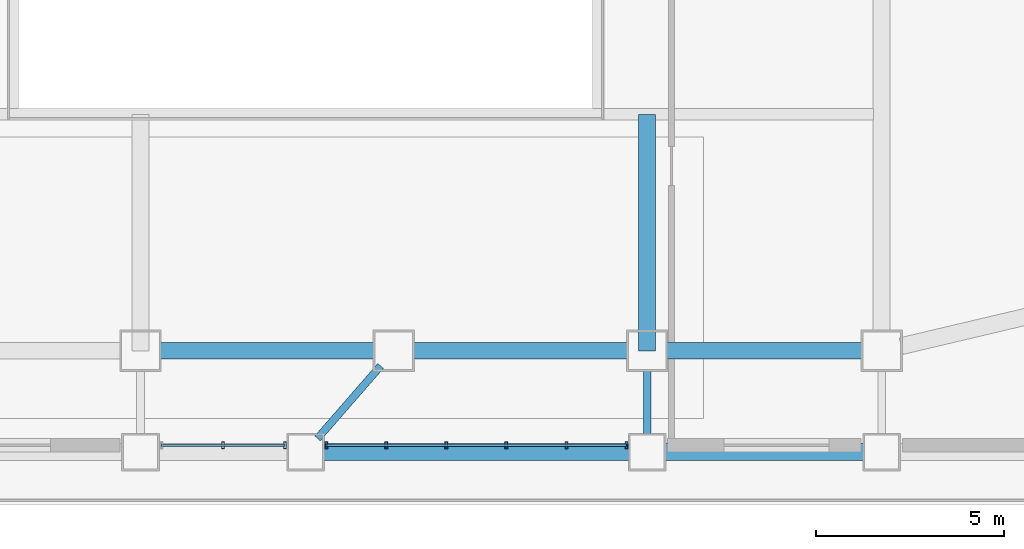
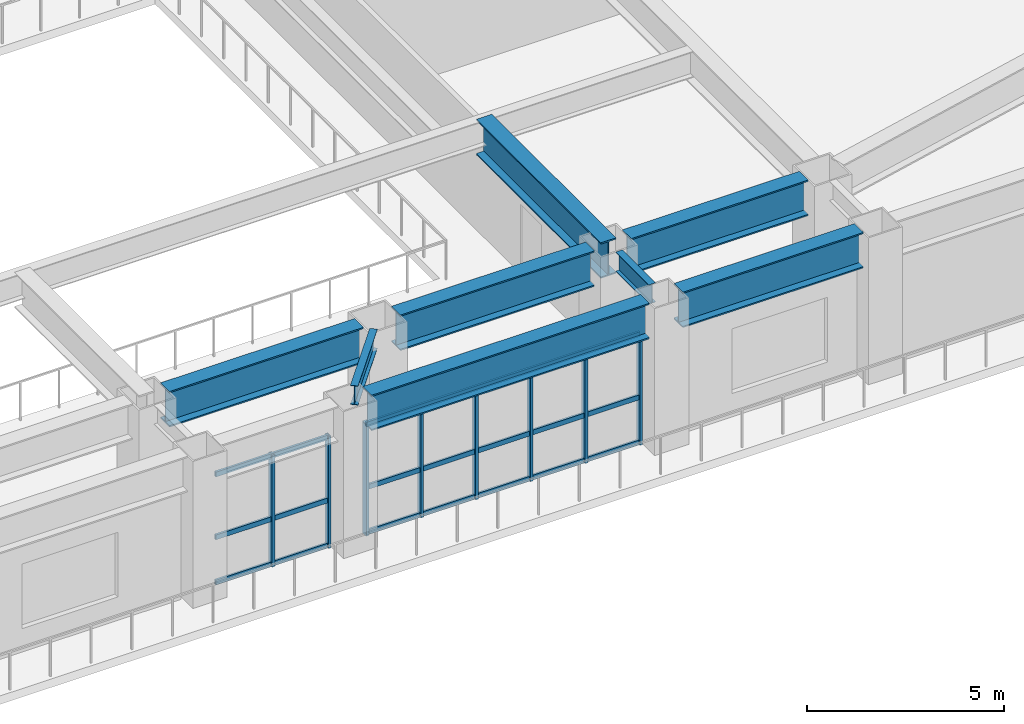
# One storey, part 4 of 14: 14 members, 8 beams, 2 elements without a shape of their own.
"""IFC4 building model written with IfcOpenShell, lengths in metres."""

from ifc_helpers import new_model, si_unit, direction, frame, origin, origin_2d, place, context, subcontext, project, spatial, hollow_rectangle, i_section, extrude, source, transform, mapped, material, layer, layer_set, material_profile, profile_set, type_object, element, aggregate, save


model = new_model("IFC4")

# Units and contexts
model_context = context("Model", 3, precision=1e-05, world=origin(), true_north=direction((0.0, 1.0)))
body_context = subcontext(model_context, "Body", "Model", "MODEL_VIEW")
ifc_project = project(units=[si_unit("LENGTHUNIT", "METRE"), si_unit("AREAUNIT", "SQUARE_METRE"), si_unit("VOLUMEUNIT", "CUBIC_METRE"), si_unit("PLANEANGLEUNIT", "RADIAN"), si_unit("MASSUNIT", "GRAM", prefix="KILO")], contexts=[model_context])

# Site, building, storey
site_placement = place(None, origin())
site = spatial("IfcSite", under=ifc_project, at=site_placement, CompositionType="ELEMENT")
building_placement = place(site_placement, origin())
building = spatial("IfcBuilding", under=site, at=building_placement, Name="Giltprow Tower", CompositionType="ELEMENT")
storey_placement = place(building_placement, frame((0.0, 0.0, 5.60009765625)))
storey = spatial("IfcBuildingStorey", under=building, at=storey_placement, Name="L02", CompositionType="ELEMENT", Elevation=5.60009765625)

# Beams
ifc_material_1 = material(Name="Structural steel Q420GJC", Category="steel")
ifc_material_profile_1 = material_profile(ifc_material_1, i_section(OverallWidth=0.449951171875, OverallDepth=1.10009765625, WebThickness=0.02587890625, FlangeThickness=0.0419921875, at=origin_2d()), Name="WH 1100x450x26x42")
ifc_profile_set_1 = profile_set([ifc_material_profile_1], Name="Structural steel Q420GJC")
beam_type_1 = type_object("IfcBeamType", Name="BM-GIRD-WH1100", PredefinedType="BEAM", material=ifc_profile_set_1)
shared_shape_1 = source(origin(), body_context, "Body", "SweptSolid", [
    extrude(i_section(OverallWidth=0.449951171875, OverallDepth=1.10009765625, WebThickness=0.02587890625, FlangeThickness=0.0419921875, at=origin_2d()), origin(), (0.0, 0.0, 1.0), 5.679931640625),
])
for number, where, z_axis, x_axis, name in (
    (1, (31.3349609375, 3.300048828125, 3.989990234375), (1.0, 0.0, 0.0), (0.0, 1.0, 0.0), "L02 Tower Base Ring Girder 3"),
    (2, (38.0849609375, 3.300048828125, 3.989990234375), (1.0, 0.0, 0.0), (0.0, 1.0, 0.0), "L02 Tower Base Ring Girder 4"),
):
    element("IfcBeam", number, at=place(storey_placement, frame(where, z_axis=z_axis, x_axis=x_axis)), inside=storey, type_object=beam_type_1, Name=name, PredefinedType="BEAM", context=body_context, shape_type="MappedRepresentation", body=[
        mapped(shared_shape_1, transform((0.0, 0.0, 0.0), x_axis=(1.0, 0.0, 0.0), y_axis=(0.0, 1.0, 0.0), z_axis=(0.0, 0.0, 1.0), scale=1.0)),
    ])
shared_shape_2 = source(origin(), body_context, "Body", "SweptSolid", [
    extrude(i_section(OverallWidth=0.449951171875, OverallDepth=1.10009765625, WebThickness=0.02587890625, FlangeThickness=0.0419921875, at=origin_2d()), origin(), (0.0, 0.0, 1.0), 5.179931640625),
])
beam_1_placement = place(storey_placement, frame((44.8349609375, 3.300048828125, 3.989990234375), z_axis=(1.0, 0.0, 0.0), x_axis=(0.0, 1.0, 0.0)))
element("IfcBeam", 3, at=beam_1_placement, inside=storey, type_object=beam_type_1, Name="L02 Tower Base Ring Girder 5", PredefinedType="BEAM", context=body_context, shape_type="MappedRepresentation", body=[
    mapped(shared_shape_2, transform((0.0, 0.0, 0.0), x_axis=(1.0, 0.0, 0.0), y_axis=(0.0, 1.0, 0.0), z_axis=(0.0, 0.0, 1.0), scale=1.0)),
])
shared_shape_3 = source(origin(), body_context, "Body", "SweptSolid", [
    extrude(i_section(OverallWidth=0.449951171875, OverallDepth=1.10009765625, WebThickness=0.02587890625, FlangeThickness=0.0419921875, at=origin_2d()), origin(), (0.0, 0.0, 1.0), 8.1298828125),
])
beam_2_placement = place(storey_placement, frame((35.68505859375, 0.60009765625, 3.989990234375), z_axis=(1.0, 0.0, 0.0), x_axis=(0.0, 1.0, 0.0)))
element("IfcBeam", 4, at=beam_2_placement, inside=storey, type_object=beam_type_1, Name="L02 Podium South Edge Girder", PredefinedType="BEAM", context=body_context, shape_type="MappedRepresentation", body=[
    mapped(shared_shape_3, transform((0.0, 0.0, 0.0), x_axis=(1.0, 0.0, 0.0), y_axis=(0.0, 1.0, 0.0), z_axis=(0.0, 0.0, 1.0), scale=1.0)),
])
shared_shape_4 = source(origin(), body_context, "Body", "SweptSolid", [
    extrude(i_section(OverallWidth=0.449951171875, OverallDepth=1.10009765625, WebThickness=0.02587890625, FlangeThickness=0.0419921875, at=origin_2d()), origin(), (0.0, 0.0, 1.0), 5.280029296875),
])
beam_3_placement = place(storey_placement, frame((44.784912109375, 0.60009765625, 3.989990234375), z_axis=(1.0, 0.0, 0.0), x_axis=(0.0, 1.0, 0.0)))
element("IfcBeam", 5, at=beam_3_placement, inside=storey, type_object=beam_type_1, Name="L02 Podium South Edge Girder", PredefinedType="BEAM", context=body_context, shape_type="MappedRepresentation", body=[
    mapped(shared_shape_4, transform((0.0, 0.0, 0.0), x_axis=(1.0, 0.0, 0.0), y_axis=(0.0, 1.0, 0.0), z_axis=(0.0, 0.0, 1.0), scale=1.0)),
])
ifc_material_2 = material(Name="Structural steel Q355B", Category="steel")
ifc_material_profile_2 = material_profile(ifc_material_2, i_section(OverallWidth=0.199951171875, OverallDepth=0.60009765625, WebThickness=0.010986328125, FlangeThickness=0.01708984375, at=origin_2d()), Name="HN 600x200x11x17")
ifc_profile_set_2 = profile_set([ifc_material_profile_2], Name="Structural steel Q355B")
beam_type_2 = type_object("IfcBeamType", Name="BM-GIRD-HN600", PredefinedType="BEAM", material=ifc_profile_set_2)
shared_shape_5 = source(origin(), body_context, "Body", "SweptSolid", [
    extrude(i_section(OverallWidth=0.199951171875, OverallDepth=0.60009765625, WebThickness=0.010986328125, FlangeThickness=0.01708984375, at=origin_2d()), origin(), (0.0, 0.0, 1.0), 1.679931640625),
])
beam_4_placement = place(storey_placement, frame((44.300048828125, 1.0849609375, 4.239990234375), z_axis=(0.0, 1.0, 0.0), x_axis=(-1.0, 0.0, 0.0)))
element("IfcBeam", 6, at=beam_4_placement, inside=storey, type_object=beam_type_2, Name="L02 South Perimeter Tie S3", PredefinedType="BEAM", context=body_context, shape_type="MappedRepresentation", body=[
    mapped(shared_shape_5, transform((0.0, 0.0, 0.0), x_axis=(1.0, 0.0, 0.0), y_axis=(0.0, 1.0, 0.0), z_axis=(0.0, 0.0, 1.0), scale=1.0)),
])
shared_shape_6 = source(origin(), body_context, "Body", "SweptSolid", [
    extrude(i_section(OverallWidth=0.449951171875, OverallDepth=1.10009765625, WebThickness=0.02587890625, FlangeThickness=0.0419921875, at=origin_2d()), origin(), (0.0, 0.0, 1.0), 6.300048828125),
])
beam_5_placement = place(storey_placement, frame((44.300048828125, 3.300048828125, 3.989990234375), z_axis=(0.0, 1.0, 0.0), x_axis=(-1.0, 0.0, 0.0)))
element("IfcBeam", 7, at=beam_5_placement, inside=storey, type_object=beam_type_1, Name="L02 Atrium South Girder S3", PredefinedType="BEAM", context=body_context, shape_type="MappedRepresentation", body=[
    mapped(shared_shape_6, transform((0.0, 0.0, 0.0), x_axis=(1.0, 0.0, 0.0), y_axis=(0.0, 1.0, 0.0), z_axis=(0.0, 0.0, 1.0), scale=1.0)),
])
shared_shape_7 = source(origin(), body_context, "Body", "SweptSolid", [
    extrude(i_section(OverallWidth=0.199951171875, OverallDepth=0.60009765625, WebThickness=0.010986328125, FlangeThickness=0.01708984375, at=origin_2d()), origin(), (0.0, 0.0, 1.0), 2.559326171875),
])
beam_6_placement = place(storey_placement, frame((35.51806640625, 0.966064453125, 4.239990234375), z_axis=(0.656780744804, 0.754081595886, 0.0), x_axis=(-0.754081595886, 0.656780744804, 0.0)))
element("IfcBeam", 8, at=beam_6_placement, inside=storey, type_object=beam_type_2, Name="L02 South Mid Tie", PredefinedType="BEAM", context=body_context, shape_type="MappedRepresentation", body=[
    mapped(shared_shape_7, transform((0.0, 0.0, 0.0), x_axis=(1.0, 0.0, 0.0), y_axis=(0.0, 1.0, 0.0), z_axis=(0.0, 0.0, 1.0), scale=1.0)),
])

# Curtain wall, members
ifc_material_3 = material(Name="Anodized bronze", Category="metal")
ifc_layer = layer(ifc_material_3, 0.179931640625, Name="Anodized bronze")
ifc_layer_set = layer_set([ifc_layer], Name="Anodized bronze")
curtain_wall_type = type_object("IfcCurtainWallType", Name="CW-POD-STOREFRONT", PredefinedType="NOTDEFINED", material=ifc_layer_set)
curtain_wall_1_placement = place(storey_placement, origin())
curtain_wall_1 = element("IfcCurtainWall", 9, at=curtain_wall_1_placement, inside=storey, type_object=curtain_wall_type, Name="L02 South Waterfront Storefront 3", PredefinedType="NOTDEFINED")
ifc_material_profile_3 = material_profile(ifc_material_3, hollow_rectangle(XDim=0.06494140625, YDim=0.14990234375, WallThickness=0.006103515625, at=origin_2d()), Name="RHS 150x65x6")
ifc_profile_set_3 = profile_set([ifc_material_profile_3], Name="Anodized bronze")
member_type_1 = type_object("IfcMemberType", Name="CW-TRANSOM-150x65", PredefinedType="USERDEFINED", material=ifc_profile_set_3)
shared_shape_8 = source(origin(), body_context, "Body", "SweptSolid", [
    extrude(hollow_rectangle(XDim=0.06494140625, YDim=0.14990234375, WallThickness=0.006103515625, at=origin_2d()), origin(), (0.0, 0.0, 1.0), 3.2998046875),
])
member_1_placement = place(storey_placement, frame((31.35009765625, 0.780029296875, 0.039794921875), z_axis=(1.0, 0.0, 0.0), x_axis=(0.0, 1.0, 0.0)))
member_1 = element("IfcMember", 10, at=member_1_placement, type_object=member_type_1, Name="L02 South Waterfront Storefront 3 Transom 1", ObjectType="TRANSOM", PredefinedType="USERDEFINED", context=body_context, shape_type="MappedRepresentation", body=[
    mapped(shared_shape_8, transform((0.0, 0.0, 0.0), x_axis=(1.0, 0.0, 0.0), y_axis=(0.0, 1.0, 0.0), z_axis=(0.0, 0.0, 1.0), scale=1.0)),
])
member_2_placement = place(storey_placement, frame((31.35009765625, 0.780029296875, 1.435791015625), z_axis=(1.0, 0.0, 0.0), x_axis=(0.0, 1.0, 0.0)))
member_2 = element("IfcMember", 11, at=member_2_placement, type_object=member_type_1, Name="L02 South Waterfront Storefront 3 Transom 2", ObjectType="TRANSOM", PredefinedType="USERDEFINED", context=body_context, shape_type="MappedRepresentation", body=[
    mapped(shared_shape_8, transform((0.0, 0.0, 0.0), x_axis=(1.0, 0.0, 0.0), y_axis=(0.0, 1.0, 0.0), z_axis=(0.0, 0.0, 1.0), scale=1.0)),
])
member_3_placement = place(storey_placement, frame((31.35009765625, 0.780029296875, 3.3798828125), z_axis=(1.0, 0.0, 0.0), x_axis=(0.0, 1.0, 0.0)))
member_3 = element("IfcMember", 12, at=member_3_placement, type_object=member_type_1, Name="L02 South Waterfront Storefront 3 Transom 3", ObjectType="TRANSOM", PredefinedType="USERDEFINED", context=body_context, shape_type="MappedRepresentation", body=[
    mapped(shared_shape_8, transform((0.0, 0.0, 0.0), x_axis=(1.0, 0.0, 0.0), y_axis=(0.0, 1.0, 0.0), z_axis=(0.0, 0.0, 1.0), scale=1.0)),
])

curtain_wall_2_placement = place(storey_placement, origin())
curtain_wall_2 = element("IfcCurtainWall", 13, at=curtain_wall_2_placement, inside=storey, type_object=curtain_wall_type, Name="L02 South Waterfront Storefront 4", PredefinedType="NOTDEFINED")
shared_shape_9 = source(origin(), body_context, "Body", "SweptSolid", [
    extrude(hollow_rectangle(XDim=0.06494140625, YDim=0.14990234375, WallThickness=0.006103515625, at=origin_2d()), origin(), (0.0, 0.0, 1.0), 8.0),
])
member_4_placement = place(storey_placement, frame((35.75, 0.780029296875, 0.039794921875), z_axis=(1.0, 0.0, 0.0), x_axis=(0.0, 1.0, 0.0)))
member_4 = element("IfcMember", 14, at=member_4_placement, type_object=member_type_1, Name="L02 South Waterfront Storefront 4 Transom 1", ObjectType="TRANSOM", PredefinedType="USERDEFINED", context=body_context, shape_type="MappedRepresentation", body=[
    mapped(shared_shape_9, transform((0.0, 0.0, 0.0), x_axis=(1.0, 0.0, 0.0), y_axis=(0.0, 1.0, 0.0), z_axis=(0.0, 0.0, 1.0), scale=1.0)),
])
member_5_placement = place(storey_placement, frame((35.75, 0.780029296875, 1.435791015625), z_axis=(1.0, 0.0, 0.0), x_axis=(0.0, 1.0, 0.0)))
member_5 = element("IfcMember", 15, at=member_5_placement, type_object=member_type_1, Name="L02 South Waterfront Storefront 4 Transom 2", ObjectType="TRANSOM", PredefinedType="USERDEFINED", context=body_context, shape_type="MappedRepresentation", body=[
    mapped(shared_shape_9, transform((0.0, 0.0, 0.0), x_axis=(1.0, 0.0, 0.0), y_axis=(0.0, 1.0, 0.0), z_axis=(0.0, 0.0, 1.0), scale=1.0)),
])
member_6_placement = place(storey_placement, frame((35.75, 0.780029296875, 3.3798828125), z_axis=(1.0, 0.0, 0.0), x_axis=(0.0, 1.0, 0.0)))
member_6 = element("IfcMember", 16, at=member_6_placement, type_object=member_type_1, Name="L02 South Waterfront Storefront 4 Transom 3", ObjectType="TRANSOM", PredefinedType="USERDEFINED", context=body_context, shape_type="MappedRepresentation", body=[
    mapped(shared_shape_9, transform((0.0, 0.0, 0.0), x_axis=(1.0, 0.0, 0.0), y_axis=(0.0, 1.0, 0.0), z_axis=(0.0, 0.0, 1.0), scale=1.0)),
])

# Member
ifc_material_profile_4 = material_profile(ifc_material_3, hollow_rectangle(XDim=0.074951171875, YDim=0.179931640625, WallThickness=0.008056640625, at=origin_2d()), Name="RHS 180x75x8")
ifc_profile_set_4 = profile_set([ifc_material_profile_4], Name="Anodized bronze")
member_type_2 = type_object("IfcMemberType", Name="CW-MULLION-180x75", PredefinedType="MULLION", material=ifc_profile_set_4)
shared_shape_10 = source(origin(), body_context, "Body", "SweptSolid", [
    extrude(hollow_rectangle(XDim=0.074951171875, YDim=0.179931640625, WallThickness=0.008056640625, at=origin_2d()), origin(), (0.0, 0.0, 1.0), 3.4599609375),
])
member_7_placement = place(storey_placement, frame((33.0, 0.780029296875, -0.02001953125), z_axis=(0.0, 0.0, 1.0), x_axis=(1.0, 0.0, 0.0)))
member_7 = element("IfcMember", 17, at=member_7_placement, type_object=member_type_2, Name="L02 South Waterfront Storefront 3 Mullion 2", PredefinedType="MULLION", context=body_context, shape_type="MappedRepresentation", body=[
    mapped(shared_shape_10, transform((0.0, 0.0, 0.0), x_axis=(1.0, 0.0, 0.0), y_axis=(0.0, 1.0, 0.0), z_axis=(0.0, 0.0, 1.0), scale=1.0)),
])

member_8_placement = place(storey_placement, frame((34.64990234375, 0.780029296875, -0.02001953125), z_axis=(0.0, 0.0, 1.0), x_axis=(1.0, 0.0, 0.0)))
member_8 = element("IfcMember", 18, at=member_8_placement, type_object=member_type_2, Name="L02 South Waterfront Storefront 3 Mullion 3", PredefinedType="MULLION", context=body_context, shape_type="MappedRepresentation", body=[
    mapped(shared_shape_10, transform((0.0, 0.0, 0.0), x_axis=(1.0, 0.0, 0.0), y_axis=(0.0, 1.0, 0.0), z_axis=(0.0, 0.0, 1.0), scale=1.0)),
])

aggregate(curtain_wall_1, [member_7, member_8, member_1, member_2, member_3])

member_9_placement = place(storey_placement, frame((35.75, 0.780029296875, -0.02001953125), z_axis=(0.0, 0.0, 1.0), x_axis=(1.0, 0.0, 0.0)))
member_9 = element("IfcMember", 19, at=member_9_placement, type_object=member_type_2, Name="L02 South Waterfront Storefront 4 Mullion 1", PredefinedType="MULLION", context=body_context, shape_type="MappedRepresentation", body=[
    mapped(shared_shape_10, transform((0.0, 0.0, 0.0), x_axis=(1.0, 0.0, 0.0), y_axis=(0.0, 1.0, 0.0), z_axis=(0.0, 0.0, 1.0), scale=1.0)),
])

member_10_placement = place(storey_placement, frame((37.35009765625, 0.780029296875, -0.02001953125), z_axis=(0.0, 0.0, 1.0), x_axis=(1.0, 0.0, 0.0)))
member_10 = element("IfcMember", 20, at=member_10_placement, type_object=member_type_2, Name="L02 South Waterfront Storefront 4 Mullion 2", PredefinedType="MULLION", context=body_context, shape_type="MappedRepresentation", body=[
    mapped(shared_shape_10, transform((0.0, 0.0, 0.0), x_axis=(1.0, 0.0, 0.0), y_axis=(0.0, 1.0, 0.0), z_axis=(0.0, 0.0, 1.0), scale=1.0)),
])

member_11_placement = place(storey_placement, frame((38.949951171875, 0.780029296875, -0.02001953125), z_axis=(0.0, 0.0, 1.0), x_axis=(1.0, 0.0, 0.0)))
member_11 = element("IfcMember", 21, at=member_11_placement, type_object=member_type_2, Name="L02 South Waterfront Storefront 4 Mullion 3", PredefinedType="MULLION", context=body_context, shape_type="MappedRepresentation", body=[
    mapped(shared_shape_10, transform((0.0, 0.0, 0.0), x_axis=(1.0, 0.0, 0.0), y_axis=(0.0, 1.0, 0.0), z_axis=(0.0, 0.0, 1.0), scale=1.0)),
])

member_12_placement = place(storey_placement, frame((40.550048828125, 0.780029296875, -0.02001953125), z_axis=(0.0, 0.0, 1.0), x_axis=(1.0, 0.0, 0.0)))
member_12 = element("IfcMember", 22, at=member_12_placement, type_object=member_type_2, Name="L02 South Waterfront Storefront 4 Mullion 4", PredefinedType="MULLION", context=body_context, shape_type="MappedRepresentation", body=[
    mapped(shared_shape_10, transform((0.0, 0.0, 0.0), x_axis=(1.0, 0.0, 0.0), y_axis=(0.0, 1.0, 0.0), z_axis=(0.0, 0.0, 1.0), scale=1.0)),
])

member_13_placement = place(storey_placement, frame((42.14990234375, 0.780029296875, -0.02001953125), z_axis=(0.0, 0.0, 1.0), x_axis=(1.0, 0.0, 0.0)))
member_13 = element("IfcMember", 23, at=member_13_placement, type_object=member_type_2, Name="L02 South Waterfront Storefront 4 Mullion 5", PredefinedType="MULLION", context=body_context, shape_type="MappedRepresentation", body=[
    mapped(shared_shape_10, transform((0.0, 0.0, 0.0), x_axis=(1.0, 0.0, 0.0), y_axis=(0.0, 1.0, 0.0), z_axis=(0.0, 0.0, 1.0), scale=1.0)),
])

member_14_placement = place(storey_placement, frame((43.75, 0.780029296875, -0.02001953125), z_axis=(0.0, 0.0, 1.0), x_axis=(1.0, 0.0, 0.0)))
member_14 = element("IfcMember", 24, at=member_14_placement, type_object=member_type_2, Name="L02 South Waterfront Storefront 4 Mullion 6", PredefinedType="MULLION", context=body_context, shape_type="MappedRepresentation", body=[
    mapped(shared_shape_10, transform((0.0, 0.0, 0.0), x_axis=(1.0, 0.0, 0.0), y_axis=(0.0, 1.0, 0.0), z_axis=(0.0, 0.0, 1.0), scale=1.0)),
])

aggregate(curtain_wall_2, [member_9, member_10, member_11, member_12, member_13, member_14, member_4, member_5, member_6])

save(model, "model.ifc")
